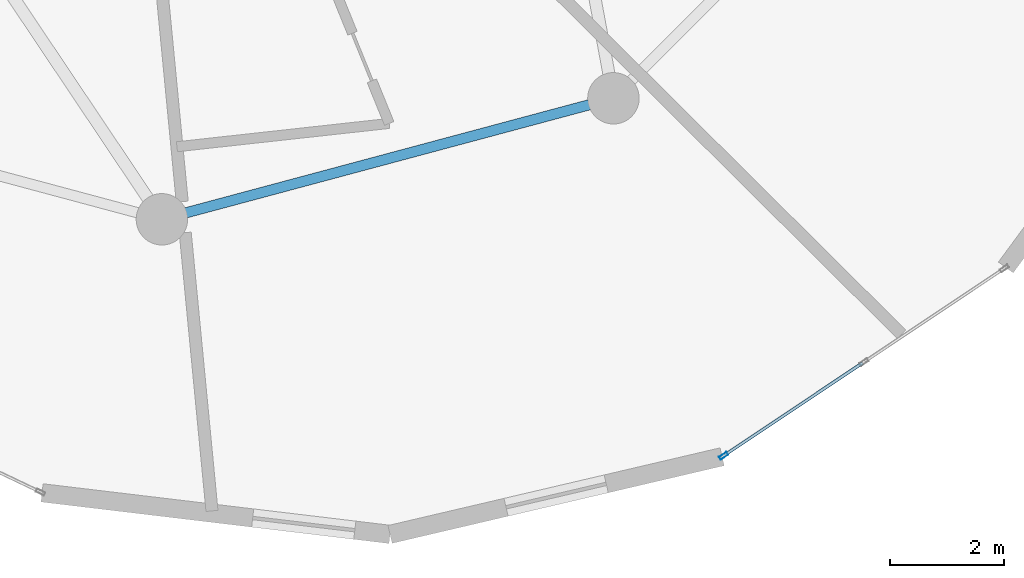
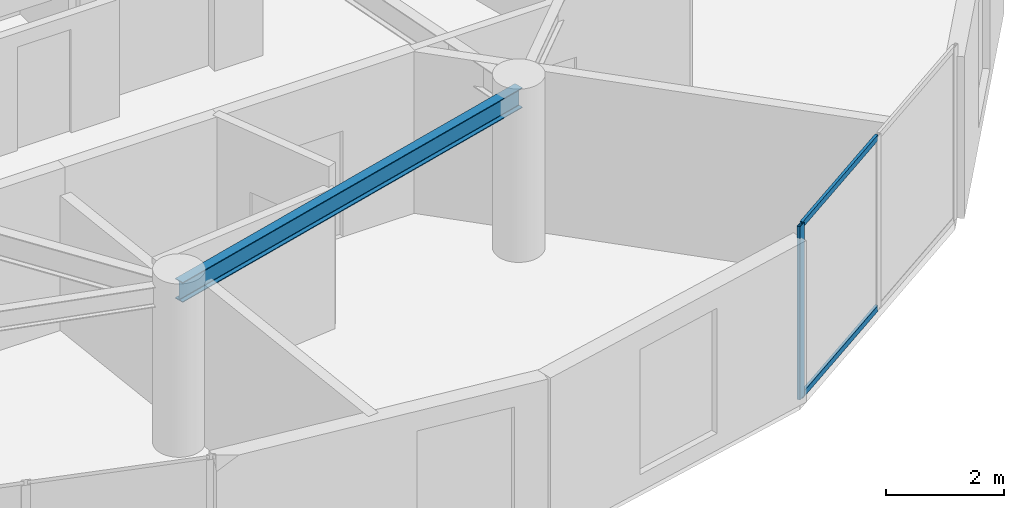
# One storey, part 4 of 20: 3 members, 1 beam, 1 element without a shape of its own.
"""IFC4 building model written with IfcOpenShell, lengths in metres."""

import ifcopenshell
import ifcopenshell.guid

model = None  # the IFC model being written
_history = None  # IfcOwnerHistory: only IFC2X3 demands one
_inside = {}  # id of a spatial element -> (the spatial element, [elements in it])
_under = {}  # id of a project, library or spatial element -> (it, [spatial elements below it])
_declared = {}  # id of a project -> (the project, [libraries it declares])
_typed = {}  # id of a type object -> (the type object, [elements of that type])
_made_of = {}  # id of a material, layer set ... -> (it, [elements and type objects made of it])


def new_model(schema):
    """Start an empty IFC model of exactly this schema.

    Asked for "IFC4X3", IfcOpenShell would pick the latest addendum, in which some entities
    have other attributes; the version numbers below select the first issue.
    IFC2X3 requires an IfcOwnerHistory on every rooted entity: one is made here for all.
    """
    global model, _history
    if schema == "IFC4X3":
        model = ifcopenshell.file(schema_version=(4, 3, 0, 0))
    else:
        model = ifcopenshell.file(schema=schema)
    _inside.clear()
    _under.clear()
    _declared.clear()
    _typed.clear()
    _made_of.clear()
    _history = None
    if model.schema == "IFC2X3":
        org = make("IfcOrganization", Name="unknown")
        user = make(
            "IfcPersonAndOrganization",
            ThePerson=make("IfcPerson", FamilyName="unknown"),
            TheOrganization=org,
        )
        app = make(
            "IfcApplication",
            ApplicationDeveloper=org,
            Version="unknown",
            ApplicationFullName="unknown",
            ApplicationIdentifier="unknown",
        )
        _history = make(
            "IfcOwnerHistory",
            OwningUser=user,
            OwningApplication=app,
            ChangeAction="ADDED",
            CreationDate=0,
        )
    return model


def make(cls, **values):
    """One entity of the class cls with the attributes given. An attribute that is None is left unset."""
    return model.create_entity(
        cls, **{name: value for name, value in values.items() if value is not None}
    )


def rooted(cls, **values):
    """An entity with a GlobalId (a new one), such as an element, a storey or a relation."""
    return make(cls, GlobalId=ifcopenshell.guid.new(), OwnerHistory=_history, **values)


def si_unit(unit_type, name, prefix=None):
    """IfcSIUnit, for example si_unit("LENGTHUNIT", "METRE", prefix="MILLI")."""
    return make("IfcSIUnit", UnitType=unit_type, Prefix=prefix, Name=name)


def assignment(units):
    """IfcUnitAssignment: the units of a project."""
    return None if units is None else make("IfcUnitAssignment", Units=units)


def point(xyz):
    """IfcCartesianPoint."""
    return None if xyz is None else make("IfcCartesianPoint", Coordinates=xyz)


def direction(xyz):
    """IfcDirection."""
    return None if xyz is None else make("IfcDirection", DirectionRatios=xyz)


def frame(location, z_axis=None, x_axis=None):
    """IfcAxis2Placement3D, a coordinate frame: its origin and axes. An axis left out is left unset."""
    return make(
        "IfcAxis2Placement3D",
        Location=point(location),
        Axis=direction(z_axis),
        RefDirection=direction(x_axis),
    )


def frame_2d(location, x_axis=None):
    """IfcAxis2Placement2D, a coordinate frame in the plane: its origin and x axis."""
    return make(
        "IfcAxis2Placement2D", Location=point(location), RefDirection=direction(x_axis)
    )


def origin():
    """The frame at (0, 0, 0) with its axes left unset."""
    return frame((0.0, 0.0, 0.0))


def origin_2d():
    """The frame at (0, 0) in the plane with its x axis left unset."""
    return frame_2d((0.0, 0.0))


def place(relative_to, where):
    """IfcLocalPlacement: puts the frame where relative to a parent placement (None: the world)."""
    return make(
        "IfcLocalPlacement", PlacementRelTo=relative_to, RelativePlacement=where
    )


def context(
    kind, dimensions, precision=None, world=None, true_north=None, identifier=None
):
    """IfcGeometricRepresentationContext, for example the 3D "Model" context."""
    return make(
        "IfcGeometricRepresentationContext",
        ContextIdentifier=identifier,
        ContextType=kind,
        CoordinateSpaceDimension=dimensions,
        Precision=precision,
        WorldCoordinateSystem=world,
        TrueNorth=true_north,
    )


def subcontext(parent, identifier, kind, view, scale=None):
    """IfcGeometricRepresentationSubContext, for example "Body" below "Model"."""
    return make(
        "IfcGeometricRepresentationSubContext",
        ContextIdentifier=identifier,
        ContextType=kind,
        ParentContext=parent,
        TargetScale=scale,
        TargetView=view,
    )


def project(units=None, contexts=None):
    """IfcProject with its units and contexts."""
    return rooted(
        "IfcProject",
        Name="project",
        RepresentationContexts=contexts,
        UnitsInContext=assignment(units),
    )


def spatial(cls, under=None, at=None, **own):
    """A site, building, storey or space (cls), placed at a placement, below another one or the project."""
    s = rooted(cls, ObjectPlacement=at, **own)
    if under is not None:
        _under.setdefault(under.id(), (under, []))[1].append(s)
    return s


def profile(cls, at=None, kind="AREA", **sizes):
    """A parametric profile (cls). Its sizes go by their IFC names, for example OverallWidth=200.0."""
    return make(cls, ProfileType=kind, Position=at, **sizes)


def hollow_rectangle(**sizes):
    """IfcRectangleHollowProfileDef."""
    return profile("IfcRectangleHollowProfileDef", **sizes)


def i_section(**sizes):
    """IfcIShapeProfileDef."""
    return profile("IfcIShapeProfileDef", **sizes)


def extrude(swept, where, along, depth):
    """IfcExtrudedAreaSolid: the profile swept, set in the frame where, extruded along a direction by depth."""
    return make(
        "IfcExtrudedAreaSolid",
        SweptArea=swept,
        Position=where,
        ExtrudedDirection=direction(along),
        Depth=depth,
    )


def shape(context_of_items, identifier, shape_type, items):
    """IfcShapeRepresentation: the items that make up one representation, for example the "Body"."""
    return make(
        "IfcShapeRepresentation",
        ContextOfItems=context_of_items,
        RepresentationIdentifier=identifier,
        RepresentationType=shape_type,
        Items=items,
    )


def source(mapping_origin, context_of_items, identifier, shape_type, items):
    """IfcRepresentationMap: a shape defined once, which mapped items show again and again."""
    return make(
        "IfcRepresentationMap",
        MappingOrigin=mapping_origin,
        MappedRepresentation=shape(context_of_items, identifier, shape_type, items),
    )


def transform(
    local_origin,
    x_axis=None,
    y_axis=None,
    z_axis=None,
    scale=None,
    scale2=None,
    scale3=None,
    uniform=True,
):
    """IfcCartesianTransformationOperator3D, or its non-uniform kind. x_axis, y_axis, z_axis: its Axis1, 2, 3."""
    if uniform:
        return make(
            "IfcCartesianTransformationOperator3D",
            Axis1=direction(x_axis),
            Axis2=direction(y_axis),
            LocalOrigin=point(local_origin),
            Scale=scale,
            Axis3=direction(z_axis),
        )
    return make(
        "IfcCartesianTransformationOperator3DnonUniform",
        Axis1=direction(x_axis),
        Axis2=direction(y_axis),
        LocalOrigin=point(local_origin),
        Scale=scale,
        Axis3=direction(z_axis),
        Scale2=scale2,
        Scale3=scale3,
    )


def mapped(mapping_source, mapping_target):
    """IfcMappedItem: shows the shape of a source again, moved by a transform."""
    return make(
        "IfcMappedItem", MappingSource=mapping_source, MappingTarget=mapping_target
    )


def material(Name=None, Category=None):
    """IfcMaterial."""
    return make("IfcMaterial", Name=Name, Category=Category)


def layer(
    of_material, thickness, ventilated=None, Name=None, Category=None, Priority=None
):
    """IfcMaterialLayer: one layer of a wall or slab, of a material (None: an air gap)."""
    return make(
        "IfcMaterialLayer",
        Material=of_material,
        LayerThickness=thickness,
        IsVentilated=ventilated,
        Name=Name,
        Category=Category,
        Priority=Priority,
    )


def layer_set(layers, Name=None):
    """IfcMaterialLayerSet."""
    return make("IfcMaterialLayerSet", MaterialLayers=layers, LayerSetName=Name)


def material_profile(
    of_material, cross_section, Name=None, Category=None, Priority=None
):
    """IfcMaterialProfile: a cross section and its material."""
    return make(
        "IfcMaterialProfile",
        Name=Name,
        Material=of_material,
        Profile=cross_section,
        Priority=Priority,
        Category=Category,
    )


def profile_set(profiles, Name=None, composite=None):
    """IfcMaterialProfileSet."""
    return make(
        "IfcMaterialProfileSet",
        Name=Name,
        MaterialProfiles=profiles,
        CompositeProfile=composite,
    )


def made_of(thing, what):
    """Note that an element or type object is made of a material, layer set ...; save() writes the relation."""
    if what is not None:
        _made_of.setdefault(what.id(), (what, []))[1].append(thing)
    return thing


def type_object(cls, material=None, **own):
    """A type object (cls), such as IfcWallType, which elements share."""
    return made_of(rooted(cls, **own), material)


def element(
    cls,
    number,
    at=None,
    inside=None,
    cuts=None,
    type_object=None,
    material=None,
    context=None,
    identifier="Body",
    shape_type=None,
    held_by="IfcProductDefinitionShape",
    body=None,
    shapes=None,
    **own,
):
    """One element of the class cls, such as IfcWall. Its Tag is "e" and its number.

    at: its placement. inside: the storey or other place that contains it. cuts: it is an
    opening in that element (IfcRelVoidsElement). A single representation is given by context,
    identifier, shape_type and body (its items); several are given by shapes. held_by: the class
    of the entity that holds the representations. save() writes the other relations.
    """
    e = rooted(cls, Tag="e%d" % number, ObjectPlacement=at, **own)
    if body is not None:
        shapes = [shape(context, identifier, shape_type, body)]
    if shapes is not None:
        e.Representation = make(held_by, Representations=shapes)
    if inside is not None:
        _inside.setdefault(inside.id(), (inside, []))[1].append(e)
    if cuts is not None:
        rooted(
            "IfcRelVoidsElement", RelatingBuildingElement=cuts, RelatedOpeningElement=e
        )
    if type_object is not None:
        _typed.setdefault(type_object.id(), (type_object, []))[1].append(e)
    return made_of(e, material)


def aggregate(whole, parts):
    """IfcRelAggregates: a whole, such as a stair, and the parts it consists of."""
    return rooted("IfcRelAggregates", RelatingObject=whole, RelatedObjects=parts)


def save(model, path):
    """Write the relations noted so far, then the file.

    IfcRelAggregates (storeys below a building ...), IfcRelContainedInSpatialStructure (elements
    in a storey), IfcRelDefinesByType, IfcRelAssociatesMaterial and IfcRelDeclares: one each for
    every whole, place, type object, material and project.
    """
    for whole, parts in _under.values():
        aggregate(whole, parts)
    for where, things in _inside.values():
        rooted(
            "IfcRelContainedInSpatialStructure",
            RelatedElements=things,
            RelatingStructure=where,
        )
    for kind, things in _typed.values():
        rooted("IfcRelDefinesByType", RelatedObjects=things, RelatingType=kind)
    for what, things in _made_of.values():
        rooted("IfcRelAssociatesMaterial", RelatedObjects=things, RelatingMaterial=what)
    for by, libraries in _declared.values():
        rooted("IfcRelDeclares", RelatingContext=by, RelatedDefinitions=libraries)
    model.write(path)


model = new_model("IFC4")

# Units and contexts
model_context = context("Model", 3, precision=1e-05, world=origin(), true_north=direction((0.0, 1.0)))
body_context = subcontext(model_context, "Body", "Model", "MODEL_VIEW")
ifc_project = project(units=[si_unit("LENGTHUNIT", "METRE"), si_unit("AREAUNIT", "SQUARE_METRE"), si_unit("VOLUMEUNIT", "CUBIC_METRE"), si_unit("PLANEANGLEUNIT", "RADIAN"), si_unit("MASSUNIT", "GRAM", prefix="KILO")], contexts=[model_context])

# Site, building, storey
site_placement = place(None, origin())
site = spatial("IfcSite", under=ifc_project, at=site_placement, CompositionType="ELEMENT")
building_placement = place(site_placement, origin())
building = spatial("IfcBuilding", under=site, at=building_placement, Name="Solvirekh Grand Hotel", CompositionType="ELEMENT")
storey_placement = place(building_placement, frame((0.0, 0.0, 209.199951171875)))
storey = spatial("IfcBuildingStorey", under=building, at=storey_placement, Name="L54", CompositionType="ELEMENT", Elevation=209.199951171875)

# Beam
ifc_material_1 = material(Name="Steel S355", Category="steel")
ifc_material_profile_1 = material_profile(ifc_material_1, i_section(OverallWidth=0.180908203125, OverallDepth=0.4169921875, WebThickness=0.010009765625, FlangeThickness=0.01611328125, FilletRadius=0.011962890625, at=origin_2d()), Name="W410X85")
ifc_profile_set_1 = profile_set([ifc_material_profile_1], Name="Steel S355")
beam_type = type_object("IfcBeamType", Name="Spandrel_Ring_W410", PredefinedType="SPANDREL", material=ifc_profile_set_1)
beam_placement = place(storey_placement, frame((0.0, -15.800048828125, 3.152099609375), z_axis=(0.965920601923, 0.258838541915, 0.0), x_axis=(-0.258838541915, 0.965920601923, 0.0)))
element("IfcBeam", 1, at=beam_placement, inside=storey, type_object=beam_type, Name="L54 perimeter spandrel beam 10", PredefinedType="SPANDREL", context=body_context, shape_type="SweptSolid", body=[
    extrude(i_section(OverallWidth=0.180908203125, OverallDepth=0.4169921875, WebThickness=0.010009765625, FlangeThickness=0.01611328125, FilletRadius=0.011962890625, at=origin_2d()), origin(), (0.0, 0.0, 1.0), 8.1787109375),
])

# Curtain wall, members
ifc_material_2 = material(Name="Anodized Bronze Aluminium 6063-T6", Category="aluminium")
ifc_layer = layer(ifc_material_2, 0.159912109375)
ifc_layer_set = layer_set([ifc_layer], Name="Anodized Bronze Aluminium 6063-T6")
curtain_wall_type = type_object("IfcCurtainWallType", Name="CW_Sys4_HighZoneFlushBronzeCW", PredefinedType="NOTDEFINED", material=ifc_layer_set)
curtain_wall_placement = place(storey_placement, origin())
curtain_wall = element("IfcCurtainWall", 2, at=curtain_wall_placement, inside=storey, type_object=curtain_wall_type, Name="L54 unitised bronze-glass curtain wall CW-L54-C01", PredefinedType="NOTDEFINED")
ifc_material_profile_2 = material_profile(ifc_material_2, hollow_rectangle(XDim=0.06005859375, YDim=0.159912109375, WallThickness=0.0048828125, at=origin_2d()), Name="ALU RHS 160X60X5")
ifc_profile_set_2 = profile_set([ifc_material_profile_2], Name="Anodized Bronze Aluminium 6063-T6")
member_type_1 = type_object("IfcMemberType", Name="CWMullion_Sys4", PredefinedType="MULLION", material=ifc_profile_set_2)
shared_shape_1 = source(origin(), body_context, "Body", "SweptSolid", [
    extrude(hollow_rectangle(XDim=0.06005859375, YDim=0.159912109375, WallThickness=0.0048828125, at=origin_2d()), origin(), (0.0, 0.0, 1.0), 3.60009765625),
])
member_1_placement = place(storey_placement, frame((9.826904296875, -19.938232421875, 0.0), z_axis=(0.0, 0.0, 1.0), x_axis=(-0.555086902533, 0.83179236029, 0.0)))
member_1 = element("IfcMember", 3, at=member_1_placement, type_object=member_type_1, Name="U04 mullion 1", PredefinedType="MULLION", context=body_context, shape_type="MappedRepresentation", body=[
    mapped(shared_shape_1, transform((0.0, 0.0, 0.0), x_axis=(1.0, 0.0, 0.0), y_axis=(0.0, 1.0, 0.0), z_axis=(0.0, 0.0, 1.0), scale=1.0)),
])
ifc_material_profile_3 = material_profile(ifc_material_2, hollow_rectangle(XDim=0.054931640625, YDim=0.1201171875, WallThickness=0.00390625, at=origin_2d()), Name="ALU RHS 120X55X4")
ifc_profile_set_3 = profile_set([ifc_material_profile_3], Name="Anodized Bronze Aluminium 6063-T6")
member_type_2 = type_object("IfcMemberType", Name="CWTransom_Sys4", PredefinedType="USERDEFINED", material=ifc_profile_set_3)
shared_shape_2 = source(origin(), body_context, "Body", "SweptSolid", [
    extrude(hollow_rectangle(XDim=0.054931640625, YDim=0.1201171875, WallThickness=0.00390625, at=origin_2d()), origin(), (0.0, 0.0, 1.0), 2.893310546875),
])
member_2_placement = place(storey_placement, frame((9.851806640625, -19.921630859375, 0.027587890625), z_axis=(0.831816553239, 0.555050647921, 0.0), x_axis=(-0.555050647921, 0.831816553239, 0.0)))
member_2 = element("IfcMember", 4, at=member_2_placement, type_object=member_type_2, Name="U04 transom 1.1", ObjectType="TRANSOM", PredefinedType="USERDEFINED", context=body_context, shape_type="MappedRepresentation", body=[
    mapped(shared_shape_2, transform((0.0, 0.0, 0.0), x_axis=(1.0, 0.0, 0.0), y_axis=(0.0, 1.0, 0.0), z_axis=(0.0, 0.0, 1.0), scale=1.0)),
])
member_3_placement = place(storey_placement, frame((9.851806640625, -19.921630859375, 3.572509765625), z_axis=(0.831816553239, 0.555050647921, 0.0), x_axis=(-0.555050647921, 0.831816553239, 0.0)))
member_3 = element("IfcMember", 5, at=member_3_placement, type_object=member_type_2, Name="U04 transom 1.2", ObjectType="TRANSOM", PredefinedType="USERDEFINED", context=body_context, shape_type="MappedRepresentation", body=[
    mapped(shared_shape_2, transform((0.0, 0.0, 0.0), x_axis=(1.0, 0.0, 0.0), y_axis=(0.0, 1.0, 0.0), z_axis=(0.0, 0.0, 1.0), scale=1.0)),
])
aggregate(curtain_wall, [member_1, member_2, member_3])

save(model, "model.ifc")
